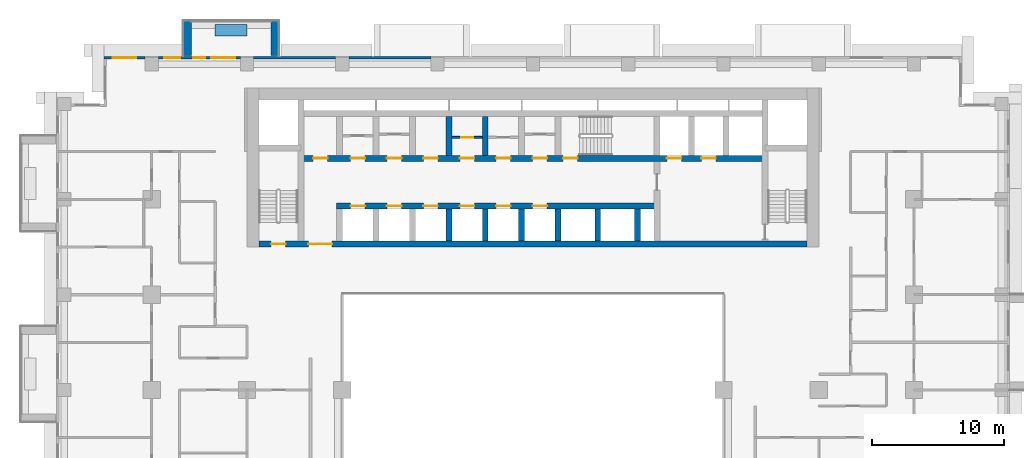
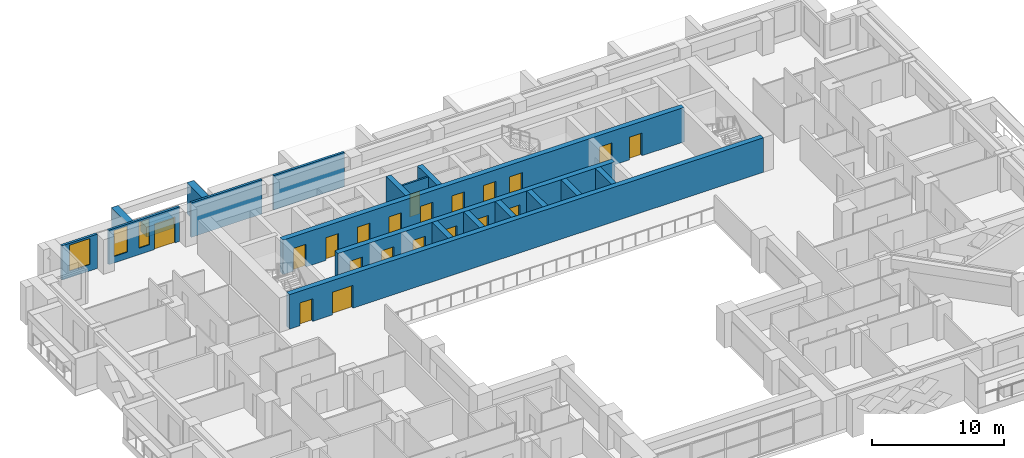
# One storey, part 10 of 17: 20 doors, 19 walls, 3 windows, 23 openings.
"""IFC4 building model written with IfcOpenShell, lengths in metres."""

import ifcopenshell
import ifcopenshell.guid

model = None  # the IFC model being written
_history = None  # IfcOwnerHistory: only IFC2X3 demands one
_inside = {}  # id of a spatial element -> (the spatial element, [elements in it])
_under = {}  # id of a project, library or spatial element -> (it, [spatial elements below it])
_declared = {}  # id of a project -> (the project, [libraries it declares])
_typed = {}  # id of a type object -> (the type object, [elements of that type])
_made_of = {}  # id of a material, layer set ... -> (it, [elements and type objects made of it])


def new_model(schema):
    """Start an empty IFC model of exactly this schema.

    Asked for "IFC4X3", IfcOpenShell would pick the latest addendum, in which some entities
    have other attributes; the version numbers below select the first issue.
    IFC2X3 requires an IfcOwnerHistory on every rooted entity: one is made here for all.
    """
    global model, _history
    if schema == "IFC4X3":
        model = ifcopenshell.file(schema_version=(4, 3, 0, 0))
    else:
        model = ifcopenshell.file(schema=schema)
    _inside.clear()
    _under.clear()
    _declared.clear()
    _typed.clear()
    _made_of.clear()
    _history = None
    if model.schema == "IFC2X3":
        org = make("IfcOrganization", Name="unknown")
        user = make(
            "IfcPersonAndOrganization",
            ThePerson=make("IfcPerson", FamilyName="unknown"),
            TheOrganization=org,
        )
        app = make(
            "IfcApplication",
            ApplicationDeveloper=org,
            Version="unknown",
            ApplicationFullName="unknown",
            ApplicationIdentifier="unknown",
        )
        _history = make(
            "IfcOwnerHistory",
            OwningUser=user,
            OwningApplication=app,
            ChangeAction="ADDED",
            CreationDate=0,
        )
    return model


def make(cls, **values):
    """One entity of the class cls with the attributes given. An attribute that is None is left unset."""
    return model.create_entity(
        cls, **{name: value for name, value in values.items() if value is not None}
    )


def rooted(cls, **values):
    """An entity with a GlobalId (a new one), such as an element, a storey or a relation."""
    return make(cls, GlobalId=ifcopenshell.guid.new(), OwnerHistory=_history, **values)


def si_unit(unit_type, name, prefix=None):
    """IfcSIUnit, for example si_unit("LENGTHUNIT", "METRE", prefix="MILLI")."""
    return make("IfcSIUnit", UnitType=unit_type, Prefix=prefix, Name=name)


def assignment(units):
    """IfcUnitAssignment: the units of a project."""
    return None if units is None else make("IfcUnitAssignment", Units=units)


def point(xyz):
    """IfcCartesianPoint."""
    return None if xyz is None else make("IfcCartesianPoint", Coordinates=xyz)


def direction(xyz):
    """IfcDirection."""
    return None if xyz is None else make("IfcDirection", DirectionRatios=xyz)


def frame(location, z_axis=None, x_axis=None):
    """IfcAxis2Placement3D, a coordinate frame: its origin and axes. An axis left out is left unset."""
    return make(
        "IfcAxis2Placement3D",
        Location=point(location),
        Axis=direction(z_axis),
        RefDirection=direction(x_axis),
    )


def frame_2d(location, x_axis=None):
    """IfcAxis2Placement2D, a coordinate frame in the plane: its origin and x axis."""
    return make(
        "IfcAxis2Placement2D", Location=point(location), RefDirection=direction(x_axis)
    )


def origin():
    """The frame at (0, 0, 0) with its axes left unset."""
    return frame((0.0, 0.0, 0.0))


def place(relative_to, where):
    """IfcLocalPlacement: puts the frame where relative to a parent placement (None: the world)."""
    return make(
        "IfcLocalPlacement", PlacementRelTo=relative_to, RelativePlacement=where
    )


def context(
    kind, dimensions, precision=None, world=None, true_north=None, identifier=None
):
    """IfcGeometricRepresentationContext, for example the 3D "Model" context."""
    return make(
        "IfcGeometricRepresentationContext",
        ContextIdentifier=identifier,
        ContextType=kind,
        CoordinateSpaceDimension=dimensions,
        Precision=precision,
        WorldCoordinateSystem=world,
        TrueNorth=true_north,
    )


def subcontext(parent, identifier, kind, view, scale=None):
    """IfcGeometricRepresentationSubContext, for example "Body" below "Model"."""
    return make(
        "IfcGeometricRepresentationSubContext",
        ContextIdentifier=identifier,
        ContextType=kind,
        ParentContext=parent,
        TargetScale=scale,
        TargetView=view,
    )


def project(units=None, contexts=None):
    """IfcProject with its units and contexts."""
    return rooted(
        "IfcProject",
        Name="project",
        RepresentationContexts=contexts,
        UnitsInContext=assignment(units),
    )


def spatial(cls, under=None, at=None, **own):
    """A site, building, storey or space (cls), placed at a placement, below another one or the project."""
    s = rooted(cls, ObjectPlacement=at, **own)
    if under is not None:
        _under.setdefault(under.id(), (under, []))[1].append(s)
    return s


def profile(cls, at=None, kind="AREA", **sizes):
    """A parametric profile (cls). Its sizes go by their IFC names, for example OverallWidth=200.0."""
    return make(cls, ProfileType=kind, Position=at, **sizes)


def rectangle(**sizes):
    """IfcRectangleProfileDef."""
    return profile("IfcRectangleProfileDef", **sizes)


def extrude(swept, where, along, depth):
    """IfcExtrudedAreaSolid: the profile swept, set in the frame where, extruded along a direction by depth."""
    return make(
        "IfcExtrudedAreaSolid",
        SweptArea=swept,
        Position=where,
        ExtrudedDirection=direction(along),
        Depth=depth,
    )


def shape(context_of_items, identifier, shape_type, items):
    """IfcShapeRepresentation: the items that make up one representation, for example the "Body"."""
    return make(
        "IfcShapeRepresentation",
        ContextOfItems=context_of_items,
        RepresentationIdentifier=identifier,
        RepresentationType=shape_type,
        Items=items,
    )


def material(Name=None, Category=None):
    """IfcMaterial."""
    return make("IfcMaterial", Name=Name, Category=Category)


def layer(
    of_material, thickness, ventilated=None, Name=None, Category=None, Priority=None
):
    """IfcMaterialLayer: one layer of a wall or slab, of a material (None: an air gap)."""
    return make(
        "IfcMaterialLayer",
        Material=of_material,
        LayerThickness=thickness,
        IsVentilated=ventilated,
        Name=Name,
        Category=Category,
        Priority=Priority,
    )


def layer_set(layers, Name=None):
    """IfcMaterialLayerSet."""
    return make("IfcMaterialLayerSet", MaterialLayers=layers, LayerSetName=Name)


def made_of(thing, what):
    """Note that an element or type object is made of a material, layer set ...; save() writes the relation."""
    if what is not None:
        _made_of.setdefault(what.id(), (what, []))[1].append(thing)
    return thing


def type_object(cls, material=None, **own):
    """A type object (cls), such as IfcWallType, which elements share."""
    return made_of(rooted(cls, **own), material)


def element(
    cls,
    number,
    at=None,
    inside=None,
    cuts=None,
    type_object=None,
    material=None,
    context=None,
    identifier="Body",
    shape_type=None,
    held_by="IfcProductDefinitionShape",
    body=None,
    shapes=None,
    **own,
):
    """One element of the class cls, such as IfcWall. Its Tag is "e" and its number.

    at: its placement. inside: the storey or other place that contains it. cuts: it is an
    opening in that element (IfcRelVoidsElement). A single representation is given by context,
    identifier, shape_type and body (its items); several are given by shapes. held_by: the class
    of the entity that holds the representations. save() writes the other relations.
    """
    e = rooted(cls, Tag="e%d" % number, ObjectPlacement=at, **own)
    if body is not None:
        shapes = [shape(context, identifier, shape_type, body)]
    if shapes is not None:
        e.Representation = make(held_by, Representations=shapes)
    if inside is not None:
        _inside.setdefault(inside.id(), (inside, []))[1].append(e)
    if cuts is not None:
        rooted(
            "IfcRelVoidsElement", RelatingBuildingElement=cuts, RelatedOpeningElement=e
        )
    if type_object is not None:
        _typed.setdefault(type_object.id(), (type_object, []))[1].append(e)
    return made_of(e, material)


def fill(opening, filler):
    """IfcRelFillsElement: the door or window that sits in an opening."""
    return rooted(
        "IfcRelFillsElement",
        RelatingOpeningElement=opening,
        RelatedBuildingElement=filler,
    )


def aggregate(whole, parts):
    """IfcRelAggregates: a whole, such as a stair, and the parts it consists of."""
    return rooted("IfcRelAggregates", RelatingObject=whole, RelatedObjects=parts)


def save(model, path):
    """Write the relations noted so far, then the file.

    IfcRelAggregates (storeys below a building ...), IfcRelContainedInSpatialStructure (elements
    in a storey), IfcRelDefinesByType, IfcRelAssociatesMaterial and IfcRelDeclares: one each for
    every whole, place, type object, material and project.
    """
    for whole, parts in _under.values():
        aggregate(whole, parts)
    for where, things in _inside.values():
        rooted(
            "IfcRelContainedInSpatialStructure",
            RelatedElements=things,
            RelatingStructure=where,
        )
    for kind, things in _typed.values():
        rooted("IfcRelDefinesByType", RelatedObjects=things, RelatingType=kind)
    for what, things in _made_of.values():
        rooted("IfcRelAssociatesMaterial", RelatedObjects=things, RelatingMaterial=what)
    for by, libraries in _declared.values():
        rooted("IfcRelDeclares", RelatingContext=by, RelatedDefinitions=libraries)
    model.write(path)


model = new_model("IFC4")

# Units and contexts
model_context = context("Model", 3, precision=1e-05, world=origin(), true_north=direction((0.0, 1.0)))
body_context = subcontext(model_context, "Body", "Model", "MODEL_VIEW")
ifc_project = project(units=[si_unit("LENGTHUNIT", "METRE"), si_unit("AREAUNIT", "SQUARE_METRE"), si_unit("VOLUMEUNIT", "CUBIC_METRE"), si_unit("PLANEANGLEUNIT", "RADIAN"), si_unit("MASSUNIT", "GRAM", prefix="KILO")], contexts=[model_context])

# Site, building, storey
site_placement = place(None, origin())
site = spatial("IfcSite", under=ifc_project, at=site_placement, CompositionType="ELEMENT")
building_placement = place(site_placement, origin())
building = spatial("IfcBuilding", under=site, at=building_placement, Name="Saffron Iwan Residences", CompositionType="ELEMENT")
storey_placement = place(building_placement, frame((0.0, 0.0, 86.5)))
storey = spatial("IfcBuildingStorey", under=building, at=storey_placement, Name="L22", CompositionType="ELEMENT", Elevation=86.5)

# Walls
ifc_material_1 = material(Name="Concrete C50/60 white painted", Category="concrete")
ifc_layer_1 = layer(ifc_material_1, 0.60009765625)
ifc_layer_set_1 = layer_set([ifc_layer_1], Name="Concrete C50/60 white painted")
wall_type_1 = type_object("IfcWallType", Name="BALCONY FIN 600", PredefinedType="SOLIDWALL", material=ifc_layer_set_1)
for number, where, z_axis, x_axis, name in (
    (1, (30.89990234375, 80.449951171875, 0.0), (0.0, 0.0, 1.0), (0.0, 1.0, 0.0), "Balcony fin L22 F5-3a"),
    (2, (24.300048828125, 80.449951171875, 0.0), (0.0, 0.0, 1.0), (0.0, 1.0, 0.0), "Balcony fin L22 F5-3b"),
):
    element("IfcWall", number, at=place(storey_placement, frame(where, z_axis=z_axis, x_axis=x_axis)), inside=storey, type_object=wall_type_1, Name=name, PredefinedType="SOLIDWALL", context=body_context, shape_type="SweptSolid", body=[
        extrude(rectangle(XDim=2.650146484375, YDim=0.60009765625, at=frame_2d((1.3251953125, 0.0))), origin(), (0.0, 0.0, 1.0), 2.85009765625),
    ])
ifc_material_2 = material(Name="Concrete C35/45 white painted", Category="concrete")
ifc_layer_2 = layer(ifc_material_2, 0.14990234375)
ifc_layer_set_2 = layer_set([ifc_layer_2], Name="Concrete C35/45 white painted")
wall_type_2 = type_object("IfcWallType", Name="BALCONY PLANTER", PredefinedType="SOLIDWALL", material=ifc_layer_set_2)
wall_1_placement = place(storey_placement, frame((28.800048828125, 82.375, 0.0), z_axis=(0.0, 0.0, 1.0), x_axis=(-1.0, 0.0, 0.0)))
element("IfcWall", 3, at=wall_1_placement, inside=storey, type_object=wall_type_2, Name="PLANTER L22 F5-3", PredefinedType="SOLIDWALL", context=body_context, shape_type="SweptSolid", body=[
    extrude(rectangle(XDim=2.400146484375, YDim=0.89990234375, at=frame_2d((1.2001953125, 0.0))), origin(), (0.0, 0.0, 1.0), 0.89990234375),
])

# Wall, opening, door
ifc_material_3 = material(Name="Fire-rated plasterboard partition")
ifc_layer_3 = layer(ifc_material_3, 0.14990234375)
ifc_layer_set_3 = layer_set([ifc_layer_3], Name="Fire-rated plasterboard partition")
wall_type_3 = type_object("IfcWallType", Name="Core partition 150", PredefinedType="PARTITIONING", material=ifc_layer_set_3)
wall_2_placement = place(storey_placement, frame((44.27490234375, 74.281982421875, 0.0), z_axis=(0.0, 0.0, 1.0), x_axis=(1.0, 0.0, 0.0)))
wall_2 = element("IfcWall", 4, at=wall_2_placement, inside=storey, type_object=wall_type_3, Name="Core partition P03", PredefinedType="PARTITIONING", context=body_context, shape_type="SweptSolid", body=[
    extrude(rectangle(XDim=2.300048828125, YDim=0.14990234375, at=frame_2d((1.14990234375, 0.0))), origin(), (0.0, 0.0, 1.0), 3.179931640625),
])
opening_1_placement = place(wall_2_placement, frame((0.699951171875, 0.0, 0.0)))
opening_1 = element("IfcOpeningElement", 5, at=opening_1_placement, cuts=wall_2, Name="Opening SB", PredefinedType="OPENING", context=body_context, shape_type="SweptSolid", body=[
    extrude(rectangle(XDim=0.89990234375, YDim=2.10009765625, at=frame_2d((0.449951171875, 1.050048828125))), frame((0.0, 0.0849609375, 0.0), z_axis=(0.0, -1.0, 0.0), x_axis=(1.0, 0.0, 0.0)), (0.0, 0.0, 1.0), 0.169921875),
])
ifc_material_4 = material(Name="Steel fire door", Category="steel")
door_type_1 = type_object("IfcDoorType", Name="Store door 900", OperationType="NOTDEFINED", PredefinedType="DOOR", material=ifc_material_4)
door_1_placement = place(opening_1_placement, origin())
door_1 = element("IfcDoor", 6, at=door_1_placement, inside=storey, type_object=door_type_1, Name="Door Records store", OperationType="SINGLE_SWING_RIGHT", OverallHeight=2.10009765625, OverallWidth=0.89990234375, PredefinedType="DOOR", context=body_context, shape_type="SweptSolid", body=[
    extrude(rectangle(XDim=0.89990234375, YDim=2.10009765625, at=frame_2d((0.449951171875, 1.050048828125))), frame((0.0, 0.02490234375, 0.0), z_axis=(0.0, -1.0, 0.0), x_axis=(1.0, 0.0, 0.0)), (0.0, 0.0, 1.0), 0.050048828125),
])
fill(opening_1, door_1)

# Walls
ifc_material_5 = material(Name="Concrete C40/50", Category="concrete")
ifc_layer_4 = layer(ifc_material_5, 0.199951171875)
ifc_layer_set_4 = layer_set([ifc_layer_4], Name="Concrete C40/50")
wall_type_4 = type_object("IfcWallType", Name="EXTERNAL WALL 200", PredefinedType="SOLIDWALL", material=ifc_layer_set_4)
for number, where, z_axis, x_axis, name in (
    (7, (42.699951171875, 80.300048828125, 0.0), (0.0, 0.0, 1.0), (-1.0, 0.0, 0.0), "External wall L22 F5.6"),
    (8, (35.5, 80.300048828125, 0.0), (0.0, 0.0, 1.0), (-1.0, 0.0, 0.0), "External wall L22 F5.7"),
):
    element("IfcWall", number, at=place(storey_placement, frame(where, z_axis=z_axis, x_axis=x_axis)), inside=storey, type_object=wall_type_4, Name=name, PredefinedType="SOLIDWALL", context=body_context, shape_type="SweptSolid", body=[
        extrude(rectangle(XDim=6.199951171875, YDim=0.199951171875, at=frame_2d((3.10009765625, 0.0))), origin(), (0.0, 0.0, 1.0), 3.179931640625),
    ])

# Wall, openings, door, windows
wall_3_placement = place(storey_placement, frame((28.300048828125, 80.300048828125, 0.0), z_axis=(0.0, 0.0, 1.0), x_axis=(-1.0, 0.0, 0.0)))
wall_3 = element("IfcWall", 9, at=wall_3_placement, inside=storey, type_object=wall_type_4, Name="External wall L22 F5.8", PredefinedType="SOLIDWALL", context=body_context, shape_type="SweptSolid", body=[
    extrude(rectangle(XDim=6.199951171875, YDim=0.199951171875, at=frame_2d((3.10009765625, 0.0))), origin(), (0.0, 0.0, 1.0), 3.179931640625),
])
opening_2_placement = place(wall_3_placement, frame((0.39990234375, 0.0, 0.0)))
opening_2 = element("IfcOpeningElement", 10, at=opening_2_placement, cuts=wall_3, Name="Opening BD1", PredefinedType="OPENING", context=body_context, shape_type="SweptSolid", body=[
    extrude(rectangle(XDim=1.800048828125, YDim=2.39990234375, at=frame_2d((0.89990234375, 1.199951171875))), frame((0.0, 0.10986328125, 0.0), z_axis=(0.0, -1.0, 0.0), x_axis=(1.0, 0.0, 0.0)), (0.0, 0.0, 1.0), 0.219970703125),
])
opening_3_placement = place(wall_3_placement, frame((2.64990234375, 0.0, 0.60009765625)))
opening_3 = element("IfcOpeningElement", 11, at=opening_3_placement, cuts=wall_3, Name="Opening W10", PredefinedType="OPENING", context=body_context, shape_type="SweptSolid", body=[
    extrude(rectangle(XDim=0.89990234375, YDim=2.39990234375, at=frame_2d((0.449951171875, 1.199951171875))), frame((0.0, 0.10986328125, 0.0), z_axis=(0.0, -1.0, 0.0), x_axis=(1.0, 0.0, 0.0)), (0.0, 0.0, 1.0), 0.219970703125),
])
opening_4_placement = place(wall_3_placement, frame((4.550048828125, 0.0, 0.60009765625)))
opening_4 = element("IfcOpeningElement", 12, at=opening_4_placement, cuts=wall_3, Name="Opening W3", PredefinedType="OPENING", context=body_context, shape_type="SweptSolid", body=[
    extrude(rectangle(XDim=1.199951171875, YDim=2.39990234375, at=frame_2d((0.60009765625, 1.199951171875))), frame((0.0, 0.10986328125, 0.0), z_axis=(0.0, -1.0, 0.0), x_axis=(1.0, 0.0, 0.0)), (0.0, 0.0, 1.0), 0.219970703125),
])
ifc_material_6 = material(Name="Clear glass, laminated double glazed", Category="glass")
door_type_2 = type_object("IfcDoorType", Name="BALCONY DOOR 1800 x 2400", OperationType="DOUBLE_DOOR_SLIDING", PredefinedType="DOOR", material=ifc_material_6)
door_2_placement = place(opening_2_placement, origin())
door_2 = element("IfcDoor", 13, at=door_2_placement, inside=storey, type_object=door_type_2, Name="Balcony door L22 F5.0", OperationType="DOUBLE_DOOR_SLIDING", OverallHeight=2.39990234375, OverallWidth=1.800048828125, PredefinedType="DOOR", context=body_context, shape_type="SweptSolid", body=[
    extrude(rectangle(XDim=1.800048828125, YDim=2.39990234375, at=frame_2d((0.89990234375, 1.199951171875))), frame((0.0, 0.02490234375, 0.0), z_axis=(0.0, -1.0, 0.0), x_axis=(1.0, 0.0, 0.0)), (0.0, 0.0, 1.0), 0.050048828125),
])
fill(opening_2, door_2)
window_type_1 = type_object("IfcWindowType", Name="WINDOW 1200 x 2400", PartitioningType="SINGLE_PANEL", PredefinedType="WINDOW", material=ifc_material_6)
window_1_placement = place(opening_4_placement, origin())
window_1 = element("IfcWindow", 14, at=window_1_placement, inside=storey, type_object=window_type_1, Name="Window L22 F5.2", OverallHeight=2.39990234375, OverallWidth=1.199951171875, PartitioningType="SINGLE_PANEL", PredefinedType="WINDOW", context=body_context, shape_type="SweptSolid", body=[
    extrude(rectangle(XDim=1.199951171875, YDim=2.39990234375, at=frame_2d((0.60009765625, 1.199951171875))), frame((0.0, 0.030029296875, 0.0), z_axis=(0.0, -1.0, 0.0), x_axis=(1.0, 0.0, 0.0)), (0.0, 0.0, 1.0), 0.06005859375),
])
fill(opening_4, window_1)
window_type_2 = type_object("IfcWindowType", Name="WINDOW 900 x 2400", PartitioningType="SINGLE_PANEL", PredefinedType="WINDOW", material=ifc_material_6)
window_2_placement = place(opening_3_placement, origin())
window_2 = element("IfcWindow", 15, at=window_2_placement, inside=storey, type_object=window_type_2, Name="Window L22 F5.1", OverallHeight=2.39990234375, OverallWidth=0.89990234375, PartitioningType="SINGLE_PANEL", PredefinedType="WINDOW", context=body_context, shape_type="SweptSolid", body=[
    extrude(rectangle(XDim=0.89990234375, YDim=2.39990234375, at=frame_2d((0.449951171875, 1.199951171875))), frame((0.0, 0.030029296875, 0.0), z_axis=(0.0, -1.0, 0.0), x_axis=(1.0, 0.0, 0.0)), (0.0, 0.0, 1.0), 0.06005859375),
])
fill(opening_3, window_2)

# Wall, opening, window
wall_4_placement = place(storey_placement, frame((21.10009765625, 80.300048828125, 0.0), z_axis=(0.0, 0.0, 1.0), x_axis=(-1.0, 0.0, 0.0)))
wall_4 = element("IfcWall", 16, at=wall_4_placement, inside=storey, type_object=wall_type_4, Name="External wall L22 F5.9", PredefinedType="SOLIDWALL", context=body_context, shape_type="SweptSolid", body=[
    extrude(rectangle(XDim=3.10009765625, YDim=0.199951171875, at=frame_2d((1.550048828125, 0.0))), origin(), (0.0, 0.0, 1.0), 3.179931640625),
])
opening_5_placement = place(wall_4_placement, frame((0.64990234375, 0.0, 0.60009765625)))
opening_5 = element("IfcOpeningElement", 17, at=opening_5_placement, cuts=wall_4, Name="Opening W8", PredefinedType="OPENING", context=body_context, shape_type="SweptSolid", body=[
    extrude(rectangle(XDim=1.800048828125, YDim=2.39990234375, at=frame_2d((0.89990234375, 1.199951171875))), frame((0.0, 0.10986328125, 0.0), z_axis=(0.0, -1.0, 0.0), x_axis=(1.0, 0.0, 0.0)), (0.0, 0.0, 1.0), 0.219970703125),
])
window_type_3 = type_object("IfcWindowType", Name="WINDOW 1800 x 2400", PartitioningType="DOUBLE_PANEL_VERTICAL", PredefinedType="WINDOW", material=ifc_material_6)
window_3_placement = place(opening_5_placement, origin())
window_3 = element("IfcWindow", 18, at=window_3_placement, inside=storey, type_object=window_type_3, Name="Window L22 F5.0", OverallHeight=2.39990234375, OverallWidth=1.800048828125, PartitioningType="DOUBLE_PANEL_VERTICAL", PredefinedType="WINDOW", context=body_context, shape_type="SweptSolid", body=[
    extrude(rectangle(XDim=1.800048828125, YDim=2.39990234375, at=frame_2d((0.89990234375, 1.199951171875))), frame((0.0, 0.030029296875, 0.0), z_axis=(0.0, -1.0, 0.0), x_axis=(1.0, 0.0, 0.0)), (0.0, 0.0, 1.0), 0.06005859375),
])
fill(opening_5, window_3)

# Wall, openings, doors
ifc_material_7 = material(Name="Concrete C60/75", Category="concrete")
ifc_layer_5 = layer(ifc_material_7, 0.449951171875)
ifc_layer_set_5 = layer_set([ifc_layer_5], Name="Concrete C60/75")
wall_type_5 = type_object("IfcWallType", Name="WALL CORE 450 C60/75 3180 HIGH", PredefinedType="SHEAR", material=ifc_layer_set_5)
wall_5_placement = place(storey_placement, frame((29.699951171875, 66.22509765625, 0.0), z_axis=(0.0, 0.0, 1.0), x_axis=(1.0, 0.0, 0.0)))
wall_5 = element("IfcWall", 19, at=wall_5_placement, inside=storey, type_object=wall_type_5, Name="Core wall", PredefinedType="SHEAR", context=body_context, shape_type="SweptSolid", body=[
    extrude(rectangle(XDim=41.400146484375, YDim=0.449951171875, at=frame_2d((20.7001953125, 0.0))), origin(), (0.0, 0.0, 1.0), 3.179931640625),
])
opening_6_placement = place(wall_5_placement, frame((0.925048828125, 0.0, 0.0)))
opening_6 = element("IfcOpeningElement", 20, at=opening_6_placement, cuts=wall_5, Name="Opening SD", PredefinedType="OPENING", context=body_context, shape_type="SweptSolid", body=[
    extrude(rectangle(XDim=1.10009765625, YDim=2.10009765625, at=frame_2d((0.550048828125, 1.050048828125))), frame((0.0, 0.23486328125, 0.0), z_axis=(0.0, -1.0, 0.0), x_axis=(1.0, 0.0, 0.0)), (0.0, 0.0, 1.0), 0.469970703125),
])
opening_7_placement = place(wall_5_placement, frame((3.737548828125, 0.0, 0.0)))
opening_7 = element("IfcOpeningElement", 21, at=opening_7_placement, cuts=wall_5, Name="Opening DD", PredefinedType="OPENING", context=body_context, shape_type="SweptSolid", body=[
    extrude(rectangle(XDim=1.800048828125, YDim=2.10009765625, at=frame_2d((0.89990234375, 1.050048828125))), frame((0.0, 0.23486328125, 0.0), z_axis=(0.0, -1.0, 0.0), x_axis=(1.0, 0.0, 0.0)), (0.0, 0.0, 1.0), 0.469970703125),
])
door_type_3 = type_object("IfcDoorType", Name="Lobby double door 1800", OperationType="DOUBLE_DOOR_SINGLE_SWING", PredefinedType="DOOR", material=ifc_material_4)
door_3_placement = place(opening_7_placement, origin())
door_3 = element("IfcDoor", 22, at=door_3_placement, inside=storey, type_object=door_type_3, Name="Lobby doors", OperationType="DOUBLE_DOOR_SINGLE_SWING", OverallHeight=2.10009765625, OverallWidth=1.800048828125, PredefinedType="DOOR", context=body_context, shape_type="SweptSolid", body=[
    extrude(rectangle(XDim=1.800048828125, YDim=2.10009765625, at=frame_2d((0.89990234375, 1.050048828125))), frame((0.0, 0.02490234375, 0.0), z_axis=(0.0, -1.0, 0.0), x_axis=(1.0, 0.0, 0.0)), (0.0, 0.0, 1.0), 0.050048828125),
])
fill(opening_7, door_3)
door_type_4 = type_object("IfcDoorType", Name="Stair door 1100", OperationType="NOTDEFINED", PredefinedType="DOOR", material=ifc_material_4)
door_4_placement = place(opening_6_placement, origin())
door_4 = element("IfcDoor", 23, at=door_4_placement, inside=storey, type_object=door_type_4, Name="Stair door ST-W", OperationType="SINGLE_SWING_LEFT", OverallHeight=2.10009765625, OverallWidth=1.10009765625, PredefinedType="DOOR", context=body_context, shape_type="SweptSolid", body=[
    extrude(rectangle(XDim=1.10009765625, YDim=2.10009765625, at=frame_2d((0.550048828125, 1.050048828125))), frame((0.0, 0.02490234375, 0.0), z_axis=(0.0, -1.0, 0.0), x_axis=(1.0, 0.0, 0.0)), (0.0, 0.0, 1.0), 0.050048828125),
])
fill(opening_6, door_4)

wall_6_placement = place(storey_placement, frame((35.574951171875, 69.10009765625, 0.0), z_axis=(0.0, 0.0, 1.0), x_axis=(1.0, 0.0, 0.0)))
wall_6 = element("IfcWall", 24, at=wall_6_placement, inside=storey, type_object=wall_type_5, Name="Core wall", PredefinedType="SHEAR", context=body_context, shape_type="SweptSolid", body=[
    extrude(rectangle(XDim=24.199951171875, YDim=0.449951171875, at=frame_2d((12.10009765625, 0.0))), origin(), (0.0, 0.0, 1.0), 3.179931640625),
])
opening_8_placement = place(wall_6_placement, frame((1.050048828125, 0.0, 0.0)))
opening_8 = element("IfcOpeningElement", 25, at=opening_8_placement, cuts=wall_6, Name="Opening LD", PredefinedType="OPENING", context=body_context, shape_type="SweptSolid", body=[
    extrude(rectangle(XDim=1.10009765625, YDim=2.10009765625, at=frame_2d((0.550048828125, 1.050048828125))), frame((0.0, 0.23486328125, 0.0), z_axis=(0.0, -1.0, 0.0), x_axis=(1.0, 0.0, 0.0)), (0.0, 0.0, 1.0), 0.469970703125),
])
opening_9_placement = place(wall_6_placement, frame((3.800048828125, 0.0, 0.0)))
opening_9 = element("IfcOpeningElement", 26, at=opening_9_placement, cuts=wall_6, Name="Opening LD", PredefinedType="OPENING", context=body_context, shape_type="SweptSolid", body=[
    extrude(rectangle(XDim=1.10009765625, YDim=2.10009765625, at=frame_2d((0.550048828125, 1.050048828125))), frame((0.0, 0.23486328125, 0.0), z_axis=(0.0, -1.0, 0.0), x_axis=(1.0, 0.0, 0.0)), (0.0, 0.0, 1.0), 0.469970703125),
])
opening_10_placement = place(wall_6_placement, frame((6.550048828125, 0.0, 0.0)))
opening_10 = element("IfcOpeningElement", 27, at=opening_10_placement, cuts=wall_6, Name="Opening LD", PredefinedType="OPENING", context=body_context, shape_type="SweptSolid", body=[
    extrude(rectangle(XDim=1.10009765625, YDim=2.10009765625, at=frame_2d((0.550048828125, 1.050048828125))), frame((0.0, 0.23486328125, 0.0), z_axis=(0.0, -1.0, 0.0), x_axis=(1.0, 0.0, 0.0)), (0.0, 0.0, 1.0), 0.469970703125),
])
opening_11_placement = place(wall_6_placement, frame((9.300048828125, 0.0, 0.0)))
opening_11 = element("IfcOpeningElement", 28, at=opening_11_placement, cuts=wall_6, Name="Opening LD", PredefinedType="OPENING", context=body_context, shape_type="SweptSolid", body=[
    extrude(rectangle(XDim=1.10009765625, YDim=2.10009765625, at=frame_2d((0.550048828125, 1.050048828125))), frame((0.0, 0.23486328125, 0.0), z_axis=(0.0, -1.0, 0.0), x_axis=(1.0, 0.0, 0.0)), (0.0, 0.0, 1.0), 0.469970703125),
])
opening_12_placement = place(wall_6_placement, frame((12.050048828125, 0.0, 0.0)))
opening_12 = element("IfcOpeningElement", 29, at=opening_12_placement, cuts=wall_6, Name="Opening LD", PredefinedType="OPENING", context=body_context, shape_type="SweptSolid", body=[
    extrude(rectangle(XDim=1.10009765625, YDim=2.10009765625, at=frame_2d((0.550048828125, 1.050048828125))), frame((0.0, 0.23486328125, 0.0), z_axis=(0.0, -1.0, 0.0), x_axis=(1.0, 0.0, 0.0)), (0.0, 0.0, 1.0), 0.469970703125),
])
opening_13_placement = place(wall_6_placement, frame((14.800048828125, 0.0, 0.0)))
opening_13 = element("IfcOpeningElement", 30, at=opening_13_placement, cuts=wall_6, Name="Opening LD", PredefinedType="OPENING", context=body_context, shape_type="SweptSolid", body=[
    extrude(rectangle(XDim=1.10009765625, YDim=2.10009765625, at=frame_2d((0.550048828125, 1.050048828125))), frame((0.0, 0.23486328125, 0.0), z_axis=(0.0, -1.0, 0.0), x_axis=(1.0, 0.0, 0.0)), (0.0, 0.0, 1.0), 0.469970703125),
])
door_type_5 = type_object("IfcDoorType", Name="Lift landing door 1100", OperationType="SLIDING_TO_LEFT", PredefinedType="DOOR", material=ifc_material_4)
door_5_placement = place(opening_8_placement, origin())
door_5 = element("IfcDoor", 31, at=door_5_placement, inside=storey, type_object=door_type_5, Name="Landing doors LR1", OperationType="SLIDING_TO_LEFT", OverallHeight=2.10009765625, OverallWidth=1.10009765625, PredefinedType="DOOR", context=body_context, shape_type="SweptSolid", body=[
    extrude(rectangle(XDim=1.10009765625, YDim=2.10009765625, at=frame_2d((0.550048828125, 1.050048828125))), frame((0.0, 0.02490234375, 0.0), z_axis=(0.0, -1.0, 0.0), x_axis=(1.0, 0.0, 0.0)), (0.0, 0.0, 1.0), 0.050048828125),
])
fill(opening_8, door_5)
door_6_placement = place(opening_9_placement, origin())
door_6 = element("IfcDoor", 32, at=door_6_placement, inside=storey, type_object=door_type_5, Name="Landing doors LR2", OperationType="SLIDING_TO_LEFT", OverallHeight=2.10009765625, OverallWidth=1.10009765625, PredefinedType="DOOR", context=body_context, shape_type="SweptSolid", body=[
    extrude(rectangle(XDim=1.10009765625, YDim=2.10009765625, at=frame_2d((0.550048828125, 1.050048828125))), frame((0.0, 0.02490234375, 0.0), z_axis=(0.0, -1.0, 0.0), x_axis=(1.0, 0.0, 0.0)), (0.0, 0.0, 1.0), 0.050048828125),
])
fill(opening_9, door_6)
door_7_placement = place(opening_10_placement, origin())
door_7 = element("IfcDoor", 33, at=door_7_placement, inside=storey, type_object=door_type_5, Name="Landing doors LR3", OperationType="SLIDING_TO_LEFT", OverallHeight=2.10009765625, OverallWidth=1.10009765625, PredefinedType="DOOR", context=body_context, shape_type="SweptSolid", body=[
    extrude(rectangle(XDim=1.10009765625, YDim=2.10009765625, at=frame_2d((0.550048828125, 1.050048828125))), frame((0.0, 0.02490234375, 0.0), z_axis=(0.0, -1.0, 0.0), x_axis=(1.0, 0.0, 0.0)), (0.0, 0.0, 1.0), 0.050048828125),
])
fill(opening_10, door_7)
door_8_placement = place(opening_11_placement, origin())
door_8 = element("IfcDoor", 34, at=door_8_placement, inside=storey, type_object=door_type_5, Name="Landing doors LR4", OperationType="SLIDING_TO_LEFT", OverallHeight=2.10009765625, OverallWidth=1.10009765625, PredefinedType="DOOR", context=body_context, shape_type="SweptSolid", body=[
    extrude(rectangle(XDim=1.10009765625, YDim=2.10009765625, at=frame_2d((0.550048828125, 1.050048828125))), frame((0.0, 0.02490234375, 0.0), z_axis=(0.0, -1.0, 0.0), x_axis=(1.0, 0.0, 0.0)), (0.0, 0.0, 1.0), 0.050048828125),
])
fill(opening_11, door_8)
door_9_placement = place(opening_12_placement, origin())
door_9 = element("IfcDoor", 35, at=door_9_placement, inside=storey, type_object=door_type_5, Name="Landing doors LR5", OperationType="SLIDING_TO_LEFT", OverallHeight=2.10009765625, OverallWidth=1.10009765625, PredefinedType="DOOR", context=body_context, shape_type="SweptSolid", body=[
    extrude(rectangle(XDim=1.10009765625, YDim=2.10009765625, at=frame_2d((0.550048828125, 1.050048828125))), frame((0.0, 0.02490234375, 0.0), z_axis=(0.0, -1.0, 0.0), x_axis=(1.0, 0.0, 0.0)), (0.0, 0.0, 1.0), 0.050048828125),
])
fill(opening_12, door_9)
door_10_placement = place(opening_13_placement, origin())
door_10 = element("IfcDoor", 36, at=door_10_placement, inside=storey, type_object=door_type_5, Name="Landing doors LR6", OperationType="SLIDING_TO_LEFT", OverallHeight=2.10009765625, OverallWidth=1.10009765625, PredefinedType="DOOR", context=body_context, shape_type="SweptSolid", body=[
    extrude(rectangle(XDim=1.10009765625, YDim=2.10009765625, at=frame_2d((0.550048828125, 1.050048828125))), frame((0.0, 0.02490234375, 0.0), z_axis=(0.0, -1.0, 0.0), x_axis=(1.0, 0.0, 0.0)), (0.0, 0.0, 1.0), 0.050048828125),
])
fill(opening_13, door_10)

wall_7_placement = place(storey_placement, frame((32.875, 72.699951171875, 0.0), z_axis=(0.0, 0.0, 1.0), x_axis=(1.0, 0.0, 0.0)))
wall_7 = element("IfcWall", 37, at=wall_7_placement, inside=storey, type_object=wall_type_5, Name="Core wall", PredefinedType="SHEAR", context=body_context, shape_type="SweptSolid", body=[
    extrude(rectangle(XDim=35.050048828125, YDim=0.449951171875, at=frame_2d((17.52490234375, 0.0))), origin(), (0.0, 0.0, 1.0), 3.179931640625),
])
opening_14_placement = place(wall_7_placement, frame((19.800048828125, 0.0, 0.0)))
opening_14 = element("IfcOpeningElement", 38, at=opening_14_placement, cuts=wall_7, Name="Opening SD", PredefinedType="OPENING", context=body_context, shape_type="SweptSolid", body=[
    extrude(rectangle(XDim=1.10009765625, YDim=2.10009765625, at=frame_2d((0.550048828125, 1.050048828125))), frame((0.0, 0.23486328125, 0.0), z_axis=(0.0, -1.0, 0.0), x_axis=(1.0, 0.0, 0.0)), (0.0, 0.0, 1.0), 0.469970703125),
])
opening_15_placement = place(wall_7_placement, frame((27.64990234375, 0.0, 0.0)))
opening_15 = element("IfcOpeningElement", 39, at=opening_15_placement, cuts=wall_7, Name="Opening LD", PredefinedType="OPENING", context=body_context, shape_type="SweptSolid", body=[
    extrude(rectangle(XDim=1.10009765625, YDim=2.10009765625, at=frame_2d((0.550048828125, 1.050048828125))), frame((0.0, 0.23486328125, 0.0), z_axis=(0.0, -1.0, 0.0), x_axis=(1.0, 0.0, 0.0)), (0.0, 0.0, 1.0), 0.469970703125),
])
opening_16_placement = place(wall_7_placement, frame((30.25, 0.0, 0.0)))
opening_16 = element("IfcOpeningElement", 40, at=opening_16_placement, cuts=wall_7, Name="Opening LD", PredefinedType="OPENING", context=body_context, shape_type="SweptSolid", body=[
    extrude(rectangle(XDim=1.10009765625, YDim=2.10009765625, at=frame_2d((0.550048828125, 1.050048828125))), frame((0.0, 0.23486328125, 0.0), z_axis=(0.0, -1.0, 0.0), x_axis=(1.0, 0.0, 0.0)), (0.0, 0.0, 1.0), 0.469970703125),
])
opening_17_placement = place(wall_7_placement, frame((3.75, 0.0, 0.0)))
opening_17 = element("IfcOpeningElement", 41, at=opening_17_placement, cuts=wall_7, Name="Opening SR", PredefinedType="OPENING", context=body_context, shape_type="SweptSolid", body=[
    extrude(rectangle(XDim=1.10009765625, YDim=2.10009765625, at=frame_2d((0.550048828125, 1.050048828125))), frame((0.0, 0.23486328125, 0.0), z_axis=(0.0, -1.0, 0.0), x_axis=(1.0, 0.0, 0.0)), (0.0, 0.0, 1.0), 0.469970703125),
])
opening_18_placement = place(wall_7_placement, frame((6.5, 0.0, 0.0)))
opening_18 = element("IfcOpeningElement", 42, at=opening_18_placement, cuts=wall_7, Name="Opening SR", PredefinedType="OPENING", context=body_context, shape_type="SweptSolid", body=[
    extrude(rectangle(XDim=1.10009765625, YDim=2.10009765625, at=frame_2d((0.550048828125, 1.050048828125))), frame((0.0, 0.23486328125, 0.0), z_axis=(0.0, -1.0, 0.0), x_axis=(1.0, 0.0, 0.0)), (0.0, 0.0, 1.0), 0.469970703125),
])
opening_19_placement = place(wall_7_placement, frame((9.25, 0.0, 0.0)))
opening_19 = element("IfcOpeningElement", 43, at=opening_19_placement, cuts=wall_7, Name="Opening SR", PredefinedType="OPENING", context=body_context, shape_type="SweptSolid", body=[
    extrude(rectangle(XDim=1.10009765625, YDim=2.10009765625, at=frame_2d((0.550048828125, 1.050048828125))), frame((0.0, 0.23486328125, 0.0), z_axis=(0.0, -1.0, 0.0), x_axis=(1.0, 0.0, 0.0)), (0.0, 0.0, 1.0), 0.469970703125),
])
opening_20_placement = place(wall_7_placement, frame((12.0, 0.0, 0.0)))
opening_20 = element("IfcOpeningElement", 44, at=opening_20_placement, cuts=wall_7, Name="Opening SR", PredefinedType="OPENING", context=body_context, shape_type="SweptSolid", body=[
    extrude(rectangle(XDim=1.10009765625, YDim=2.10009765625, at=frame_2d((0.550048828125, 1.050048828125))), frame((0.0, 0.23486328125, 0.0), z_axis=(0.0, -1.0, 0.0), x_axis=(1.0, 0.0, 0.0)), (0.0, 0.0, 1.0), 0.469970703125),
])
opening_21_placement = place(wall_7_placement, frame((14.75, 0.0, 0.0)))
opening_21 = element("IfcOpeningElement", 45, at=opening_21_placement, cuts=wall_7, Name="Opening SR", PredefinedType="OPENING", context=body_context, shape_type="SweptSolid", body=[
    extrude(rectangle(XDim=1.10009765625, YDim=2.10009765625, at=frame_2d((0.550048828125, 1.050048828125))), frame((0.0, 0.23486328125, 0.0), z_axis=(0.0, -1.0, 0.0), x_axis=(1.0, 0.0, 0.0)), (0.0, 0.0, 1.0), 0.469970703125),
])
opening_22_placement = place(wall_7_placement, frame((17.5, 0.0, 0.0)))
opening_22 = element("IfcOpeningElement", 46, at=opening_22_placement, cuts=wall_7, Name="Opening SR", PredefinedType="OPENING", context=body_context, shape_type="SweptSolid", body=[
    extrude(rectangle(XDim=1.10009765625, YDim=2.10009765625, at=frame_2d((0.550048828125, 1.050048828125))), frame((0.0, 0.23486328125, 0.0), z_axis=(0.0, -1.0, 0.0), x_axis=(1.0, 0.0, 0.0)), (0.0, 0.0, 1.0), 0.469970703125),
])
opening_23_placement = place(wall_7_placement, frame((0.91259765625, 0.0, 0.0)))
opening_23 = element("IfcOpeningElement", 47, at=opening_23_placement, cuts=wall_7, Name="Opening SR", PredefinedType="OPENING", context=body_context, shape_type="SweptSolid", body=[
    extrude(rectangle(XDim=1.10009765625, YDim=2.10009765625, at=frame_2d((0.550048828125, 1.050048828125))), frame((0.0, 0.23486328125, 0.0), z_axis=(0.0, -1.0, 0.0), x_axis=(1.0, 0.0, 0.0)), (0.0, 0.0, 1.0), 0.469970703125),
])
door_11_placement = place(opening_15_placement, origin())
door_11 = element("IfcDoor", 48, at=door_11_placement, inside=storey, type_object=door_type_5, Name="Landing doors FF1", OperationType="SLIDING_TO_LEFT", OverallHeight=2.10009765625, OverallWidth=1.10009765625, PredefinedType="DOOR", context=body_context, shape_type="SweptSolid", body=[
    extrude(rectangle(XDim=1.10009765625, YDim=2.10009765625, at=frame_2d((0.550048828125, 1.050048828125))), frame((0.0, 0.02490234375, 0.0), z_axis=(0.0, -1.0, 0.0), x_axis=(1.0, 0.0, 0.0)), (0.0, 0.0, 1.0), 0.050048828125),
])
fill(opening_15, door_11)
door_12_placement = place(opening_16_placement, origin())
door_12 = element("IfcDoor", 49, at=door_12_placement, inside=storey, type_object=door_type_5, Name="Landing doors FF2", OperationType="SLIDING_TO_LEFT", OverallHeight=2.10009765625, OverallWidth=1.10009765625, PredefinedType="DOOR", context=body_context, shape_type="SweptSolid", body=[
    extrude(rectangle(XDim=1.10009765625, YDim=2.10009765625, at=frame_2d((0.550048828125, 1.050048828125))), frame((0.0, 0.02490234375, 0.0), z_axis=(0.0, -1.0, 0.0), x_axis=(1.0, 0.0, 0.0)), (0.0, 0.0, 1.0), 0.050048828125),
])
fill(opening_16, door_12)
door_type_6 = type_object("IfcDoorType", Name="Service door 1100", OperationType="NOTDEFINED", PredefinedType="DOOR", material=ifc_material_4)
door_13_placement = place(opening_17_placement, origin())
door_13 = element("IfcDoor", 50, at=door_13_placement, inside=storey, type_object=door_type_6, Name="Door Trolley store", OperationType="SINGLE_SWING_LEFT", OverallHeight=2.10009765625, OverallWidth=1.10009765625, PredefinedType="DOOR", context=body_context, shape_type="SweptSolid", body=[
    extrude(rectangle(XDim=1.10009765625, YDim=2.10009765625, at=frame_2d((0.550048828125, 1.050048828125))), frame((0.0, 0.02490234375, 0.0), z_axis=(0.0, -1.0, 0.0), x_axis=(1.0, 0.0, 0.0)), (0.0, 0.0, 1.0), 0.050048828125),
])
fill(opening_17, door_13)
door_14_placement = place(opening_18_placement, origin())
door_14 = element("IfcDoor", 51, at=door_14_placement, inside=storey, type_object=door_type_6, Name="Door Communications room", OperationType="SINGLE_SWING_LEFT", OverallHeight=2.10009765625, OverallWidth=1.10009765625, PredefinedType="DOOR", context=body_context, shape_type="SweptSolid", body=[
    extrude(rectangle(XDim=1.10009765625, YDim=2.10009765625, at=frame_2d((0.550048828125, 1.050048828125))), frame((0.0, 0.02490234375, 0.0), z_axis=(0.0, -1.0, 0.0), x_axis=(1.0, 0.0, 0.0)), (0.0, 0.0, 1.0), 0.050048828125),
])
fill(opening_18, door_14)
door_15_placement = place(opening_19_placement, origin())
door_15 = element("IfcDoor", 52, at=door_15_placement, inside=storey, type_object=door_type_6, Name="Door Switch room", OperationType="SINGLE_SWING_LEFT", OverallHeight=2.10009765625, OverallWidth=1.10009765625, PredefinedType="DOOR", context=body_context, shape_type="SweptSolid", body=[
    extrude(rectangle(XDim=1.10009765625, YDim=2.10009765625, at=frame_2d((0.550048828125, 1.050048828125))), frame((0.0, 0.02490234375, 0.0), z_axis=(0.0, -1.0, 0.0), x_axis=(1.0, 0.0, 0.0)), (0.0, 0.0, 1.0), 0.050048828125),
])
fill(opening_19, door_15)
door_16_placement = place(opening_20_placement, origin())
door_16 = element("IfcDoor", 53, at=door_16_placement, inside=storey, type_object=door_type_6, Name="Door Furniture store", OperationType="SINGLE_SWING_LEFT", OverallHeight=2.10009765625, OverallWidth=1.10009765625, PredefinedType="DOOR", context=body_context, shape_type="SweptSolid", body=[
    extrude(rectangle(XDim=1.10009765625, YDim=2.10009765625, at=frame_2d((0.550048828125, 1.050048828125))), frame((0.0, 0.02490234375, 0.0), z_axis=(0.0, -1.0, 0.0), x_axis=(1.0, 0.0, 0.0)), (0.0, 0.0, 1.0), 0.050048828125),
])
fill(opening_20, door_16)
door_17_placement = place(opening_21_placement, origin())
door_17 = element("IfcDoor", 54, at=door_17_placement, inside=storey, type_object=door_type_6, Name="Door Housekeeping store", OperationType="SINGLE_SWING_LEFT", OverallHeight=2.10009765625, OverallWidth=1.10009765625, PredefinedType="DOOR", context=body_context, shape_type="SweptSolid", body=[
    extrude(rectangle(XDim=1.10009765625, YDim=2.10009765625, at=frame_2d((0.550048828125, 1.050048828125))), frame((0.0, 0.02490234375, 0.0), z_axis=(0.0, -1.0, 0.0), x_axis=(1.0, 0.0, 0.0)), (0.0, 0.0, 1.0), 0.050048828125),
])
fill(opening_21, door_17)
door_18_placement = place(opening_22_placement, origin())
door_18 = element("IfcDoor", 55, at=door_18_placement, inside=storey, type_object=door_type_6, Name="Door Cleaner's store", OperationType="SINGLE_SWING_LEFT", OverallHeight=2.10009765625, OverallWidth=1.10009765625, PredefinedType="DOOR", context=body_context, shape_type="SweptSolid", body=[
    extrude(rectangle(XDim=1.10009765625, YDim=2.10009765625, at=frame_2d((0.550048828125, 1.050048828125))), frame((0.0, 0.02490234375, 0.0), z_axis=(0.0, -1.0, 0.0), x_axis=(1.0, 0.0, 0.0)), (0.0, 0.0, 1.0), 0.050048828125),
])
fill(opening_22, door_18)
door_19_placement = place(opening_23_placement, origin())
door_19 = element("IfcDoor", 56, at=door_19_placement, inside=storey, type_object=door_type_6, Name="Door Storage room", OperationType="SINGLE_SWING_LEFT", OverallHeight=2.10009765625, OverallWidth=1.10009765625, PredefinedType="DOOR", context=body_context, shape_type="SweptSolid", body=[
    extrude(rectangle(XDim=1.10009765625, YDim=2.10009765625, at=frame_2d((0.550048828125, 1.050048828125))), frame((0.0, 0.02490234375, 0.0), z_axis=(0.0, -1.0, 0.0), x_axis=(1.0, 0.0, 0.0)), (0.0, 0.0, 1.0), 0.050048828125),
])
fill(opening_23, door_19)
door_20_placement = place(opening_14_placement, origin())
door_20 = element("IfcDoor", 57, at=door_20_placement, inside=storey, type_object=door_type_4, Name="Stair door ST-C", OperationType="SINGLE_SWING_LEFT", OverallHeight=2.10009765625, OverallWidth=1.10009765625, PredefinedType="DOOR", context=body_context, shape_type="SweptSolid", body=[
    extrude(rectangle(XDim=1.10009765625, YDim=2.10009765625, at=frame_2d((0.550048828125, 1.050048828125))), frame((0.0, 0.02490234375, 0.0), z_axis=(0.0, -1.0, 0.0), x_axis=(1.0, 0.0, 0.0)), (0.0, 0.0, 1.0), 0.050048828125),
])
fill(opening_14, door_20)

# Walls
for number, where, z_axis, x_axis, name in (
    (58, (44.050048828125, 66.449951171875, 0.0), (0.0, 0.0, 1.0), (0.0, 1.0, 0.0), "Core wall"),
    (59, (46.800048828125, 66.449951171875, 0.0), (0.0, 0.0, 1.0), (0.0, 1.0, 0.0), "Core wall"),
    (60, (49.550048828125, 66.449951171875, 0.0), (0.0, 0.0, 1.0), (0.0, 1.0, 0.0), "Core wall"),
    (61, (52.300048828125, 66.449951171875, 0.0), (0.0, 0.0, 1.0), (0.0, 1.0, 0.0), "Core wall"),
    (62, (55.300048828125, 66.449951171875, 0.0), (0.0, 0.0, 1.0), (0.0, 1.0, 0.0), "Core wall"),
    (63, (58.300048828125, 66.449951171875, 0.0), (0.0, 0.0, 1.0), (0.0, 1.0, 0.0), "Core wall"),
):
    element("IfcWall", number, at=place(storey_placement, frame(where, z_axis=z_axis, x_axis=x_axis)), inside=storey, type_object=wall_type_5, Name=name, PredefinedType="SHEAR", context=body_context, shape_type="SweptSolid", body=[
        extrude(rectangle(XDim=2.425048828125, YDim=0.449951171875, at=frame_2d((1.21240234375, 0.0))), origin(), (0.0, 0.0, 1.0), 3.179931640625),
    ])
for number, where, z_axis, x_axis, name in (
    (64, (44.050048828125, 72.925048828125, 0.0), (0.0, 0.0, 1.0), (0.0, 1.0, 0.0), "Core wall"),
    (65, (46.800048828125, 72.925048828125, 0.0), (0.0, 0.0, 1.0), (0.0, 1.0, 0.0), "Core wall"),
):
    element("IfcWall", number, at=place(storey_placement, frame(where, z_axis=z_axis, x_axis=x_axis)), inside=storey, type_object=wall_type_5, Name=name, PredefinedType="SHEAR", context=body_context, shape_type="SweptSolid", body=[
        extrude(rectangle(XDim=2.949951171875, YDim=0.449951171875, at=frame_2d((1.47509765625, 0.0))), origin(), (0.0, 0.0, 1.0), 3.179931640625),
    ])

save(model, "model.ifc")
